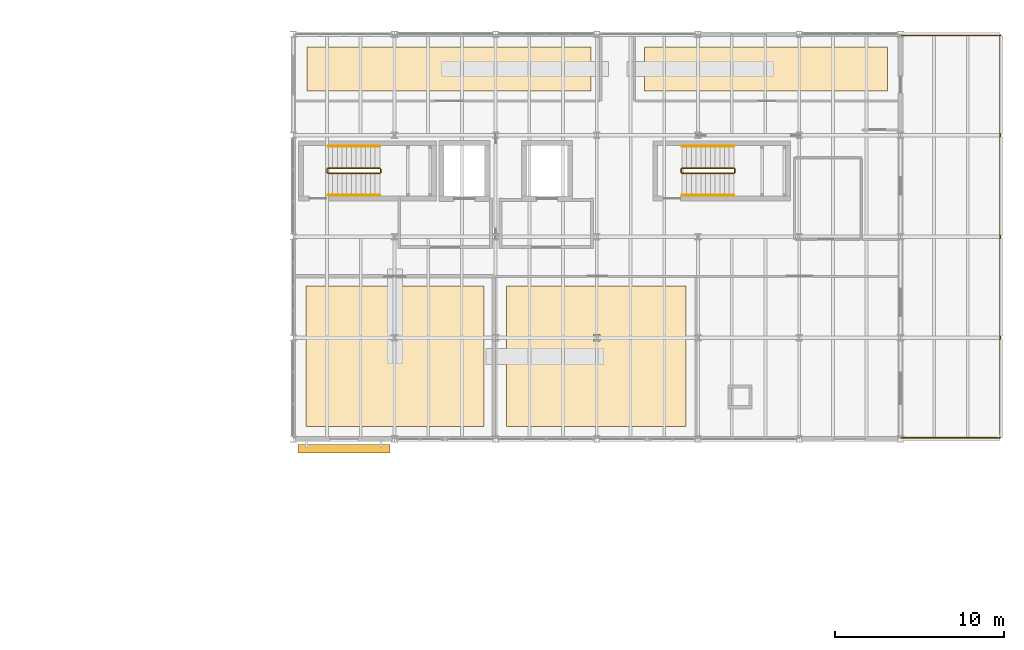
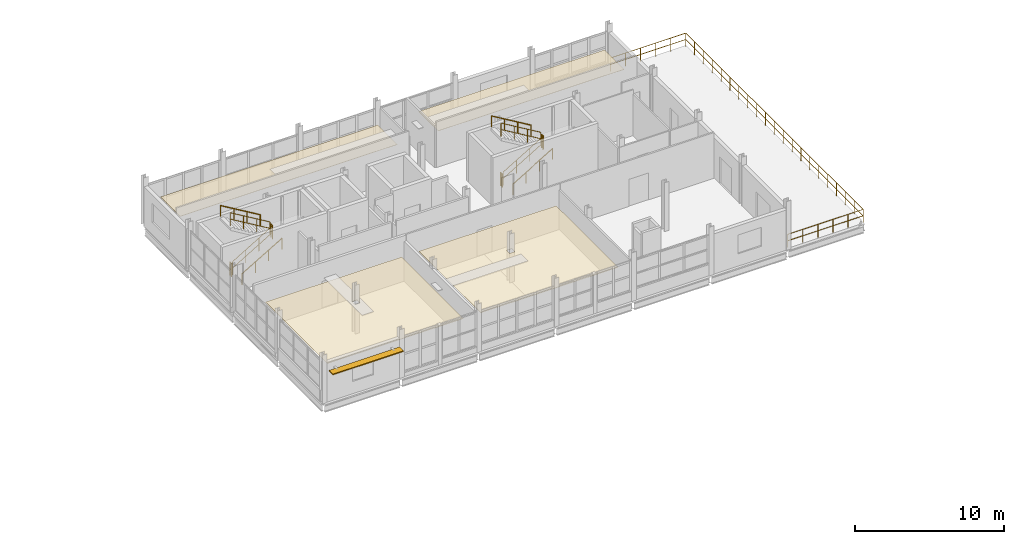
# One storey, part 45 of 45: 15 railings, 4 coverings, 1 shading device.
"""IFC4 building model written with IfcOpenShell, lengths in metres."""

from ifc_helpers import new_model, si_unit, direction, frame, origin, origin_2d, place, context, subcontext, project, spatial, polyline, rectangle, circle, outline, extrude, material, layer, layer_set, type_object, element, save


model = new_model("IFC4")

# Units and contexts
model_context = context("Model", 3, precision=1e-05, world=origin(), true_north=direction((0.0, 1.0)))
body_context = subcontext(model_context, "Body", "Model", "MODEL_VIEW")
ifc_project = project(units=[si_unit("LENGTHUNIT", "METRE"), si_unit("AREAUNIT", "SQUARE_METRE"), si_unit("VOLUMEUNIT", "CUBIC_METRE"), si_unit("PLANEANGLEUNIT", "RADIAN"), si_unit("MASSUNIT", "GRAM", prefix="KILO")], contexts=[model_context])

# Site, building, storey
site_placement = place(None, origin())
site = spatial("IfcSite", under=ifc_project, at=site_placement, CompositionType="ELEMENT")
building_placement = place(site_placement, origin())
building = spatial("IfcBuilding", under=site, at=building_placement, Name="Siltcreek Boulevard Central Fire Station", CompositionType="ELEMENT")
storey_placement = place(building_placement, frame((0.0, 0.0, 10.0)))
storey = spatial("IfcBuildingStorey", under=building, at=storey_placement, Name="L03", CompositionType="ELEMENT", Elevation=10.0)

# Coverings
ifc_material_1 = material(Name="Mineral-fiber acoustic ceiling tile", Category="gypsum")
ifc_layer_1 = layer(ifc_material_1, 0.02490234375, Name="Mineral-fiber acoustic ceiling tile")
ifc_layer_set_1 = layer_set([ifc_layer_1], Name="Mineral-fiber acoustic ceiling tile")
covering_type = type_object("IfcCoveringType", Name="COV_CEIL_ACT", PredefinedType="CEILING", material=ifc_layer_set_1)
covering_1_placement = place(storey_placement, frame((0.0, 0.0, 2.419921875)))
element("IfcCovering", 1, at=covering_1_placement, inside=storey, type_object=covering_type, Name="L03 Fire Chief Executive Command Office acoustic ceiling ACT-028", PredefinedType="CEILING", context=body_context, shape_type="SweptSolid", body=[
    extrude(outline(polyline([(124.949951171875, 88.949951171875), (135.5, 88.949951171875), (135.5, 97.260009765625), (124.949951171875, 97.260009765625), (124.949951171875, 88.949951171875)]), holes=[polyline([(130.0, 94.0), (130.39990234375, 94.0), (130.39990234375, 94.39990234375), (130.0, 94.39990234375), (130.0, 94.0)])]), origin(), (0.0, 0.0, 1.0), 0.025146484375),
])
covering_2_placement = place(storey_placement, frame((0.0, 0.0, 2.419921875)))
element("IfcCovering", 2, at=covering_2_placement, inside=storey, type_object=covering_type, Name="L03 Deputy Chief's Command Suite acoustic ceiling ACT-029", PredefinedType="CEILING", context=body_context, shape_type="SweptSolid", body=[
    extrude(outline(polyline([(136.85009765625, 88.949951171875), (147.5, 88.949951171875), (147.5, 97.260009765625), (136.85009765625, 97.260009765625), (136.85009765625, 88.949951171875)]), holes=[polyline([(142.0, 94.0), (142.39990234375, 94.0), (142.39990234375, 94.39990234375), (142.0, 94.39990234375), (142.0, 94.0)])]), origin(), (0.0, 0.0, 1.0), 0.025146484375),
])
covering_3_placement = place(storey_placement, frame((0.0, 0.0, 2.419921875)))
element("IfcCovering", 3, at=covering_3_placement, inside=storey, type_object=covering_type, Name="L03 Emergency Legal and Policy Office acoustic ceiling ACT-030", PredefinedType="CEILING", context=body_context, shape_type="SweptSolid", body=[
    extrude(outline(polyline([(125.0, 108.820068359375), (141.85009765625, 108.820068359375), (141.85009765625, 111.449951171875), (125.0, 111.449951171875), (125.0, 108.820068359375)])), origin(), (0.0, 0.0, 1.0), 0.025146484375),
])
covering_4_placement = place(storey_placement, frame((0.0, 0.0, 2.419921875)))
element("IfcCovering", 4, at=covering_4_placement, inside=storey, type_object=covering_type, Name="L03 Medical Director Oversight Suite acoustic ceiling ACT-031", PredefinedType="CEILING", context=body_context, shape_type="SweptSolid", body=[
    extrude(outline(polyline([(145.02001953125, 108.820068359375), (159.449951171875, 108.820068359375), (159.449951171875, 111.449951171875), (145.02001953125, 111.449951171875), (145.02001953125, 108.820068359375)])), origin(), (0.0, 0.0, 1.0), 0.025146484375),
])

# Railings
ifc_material_2 = material(Name="Painted galvanized steel stair guard", Category="steel")
railing_type_1 = type_object("IfcRailingType", Name="RL_ST_GUARD", PredefinedType="BALUSTRADE", material=ifc_material_2)
railing_1_placement = place(storey_placement, frame((126.25, 103.949951171875, 0.166748046875)))
element("IfcRailing", 5, at=railing_1_placement, inside=storey, type_object=railing_type_1, Name="L03 ST-V5A stair guard 1", PredefinedType="BALUSTRADE", context=body_context, shape_type="SweptSolid", body=[
    extrude(circle(Radius=0.02392578125, at=origin_2d()), frame((0.0, 0.0, 1.076171875), z_axis=(0.859308565015, 0.0, 0.511457515432), x_axis=(0.0, 1.0, 0.0)), (0.0, 0.0, 1.0), 3.58447265625),
    extrude(circle(Radius=0.02392578125, at=origin_2d()), frame((0.0, 0.0, 0.550048828125), z_axis=(0.859308565015, 0.0, 0.511457515432), x_axis=(0.0, 1.0, 0.0)), (0.0, 0.0, 1.0), 3.58447265625),
    extrude(circle(Radius=0.02099609375, at=origin_2d()), origin(), (0.0, 0.0, 1.0), 1.052001953125),
    extrude(circle(Radius=0.02099609375, at=origin_2d()), frame((1.026611328125, 0.0, 0.611083984375)), (0.0, 0.0, 1.0), 1.052001953125),
    extrude(circle(Radius=0.02099609375, at=origin_2d()), frame((2.053466796875, 0.0, 1.22216796875)), (0.0, 0.0, 1.0), 1.052001953125),
    extrude(circle(Radius=0.02099609375, at=origin_2d()), frame((3.080078125, 0.0, 1.833251953125)), (0.0, 0.0, 1.0), 1.052001953125),
])
railing_2_placement = place(storey_placement, frame((129.3798828125, 104.0, 2.0)))
element("IfcRailing", 6, at=railing_2_placement, inside=storey, type_object=railing_type_1, Name="L03 ST-V5A stair guard 2", PredefinedType="BALUSTRADE", context=body_context, shape_type="SweptSolid", body=[
    extrude(circle(Radius=0.02392578125, at=origin_2d()), frame((0.0, 0.0, 1.076171875), z_axis=(0.0, 1.0, 0.0), x_axis=(-1.0, 0.0, 0.0)), (0.0, 0.0, 1.0), 0.199951171875),
    extrude(circle(Radius=0.02392578125, at=origin_2d()), frame((0.0, 0.0, 0.550048828125), z_axis=(0.0, 1.0, 0.0), x_axis=(-1.0, 0.0, 0.0)), (0.0, 0.0, 1.0), 0.199951171875),
    extrude(circle(Radius=0.02099609375, at=origin_2d()), origin(), (0.0, 0.0, 1.0), 1.052001953125),
    extrude(circle(Radius=0.02099609375, at=origin_2d()), frame((0.0, 0.199951171875, 0.0)), (0.0, 0.0, 1.0), 1.052001953125),
])
railing_3_placement = place(storey_placement, frame((129.330078125, 104.25, 2.166748046875)))
element("IfcRailing", 7, at=railing_3_placement, inside=storey, type_object=railing_type_1, Name="L03 ST-V5A stair guard 3", PredefinedType="BALUSTRADE", context=body_context, shape_type="SweptSolid", body=[
    extrude(circle(Radius=0.02392578125, at=origin_2d()), frame((0.0, 0.0, 1.076171875), z_axis=(-0.859308565015, 0.0, 0.511457515432), x_axis=(0.0, -1.0, 0.0)), (0.0, 0.0, 1.0), 3.58447265625),
    extrude(circle(Radius=0.02392578125, at=origin_2d()), frame((0.0, 0.0, 0.550048828125), z_axis=(-0.859308565015, 0.0, 0.511457515432), x_axis=(0.0, -1.0, 0.0)), (0.0, 0.0, 1.0), 3.58447265625),
    extrude(circle(Radius=0.02099609375, at=origin_2d()), origin(), (0.0, 0.0, 1.0), 1.052001953125),
    extrude(circle(Radius=0.02099609375, at=origin_2d()), frame((-1.026611328125, 0.0, 0.611083984375)), (0.0, 0.0, 1.0), 1.052001953125),
    extrude(circle(Radius=0.02099609375, at=origin_2d()), frame((-2.053466796875, 0.0, 1.22216796875)), (0.0, 0.0, 1.0), 1.052001953125),
    extrude(circle(Radius=0.02099609375, at=origin_2d()), frame((-3.080078125, 0.0, 1.833251953125)), (0.0, 0.0, 1.0), 1.052001953125),
])
railing_4_placement = place(storey_placement, frame((126.199951171875, 104.0, 0.0)))
element("IfcRailing", 8, at=railing_4_placement, inside=storey, type_object=railing_type_1, Name="L03 ST-V5A stair guard 4", PredefinedType="BALUSTRADE", context=body_context, shape_type="SweptSolid", body=[
    extrude(circle(Radius=0.02392578125, at=origin_2d()), frame((0.0, 0.0, 1.076171875), z_axis=(0.0, 1.0, 0.0), x_axis=(-1.0, 0.0, 0.0)), (0.0, 0.0, 1.0), 0.199951171875),
    extrude(circle(Radius=0.02392578125, at=origin_2d()), frame((0.0, 0.0, 0.550048828125), z_axis=(0.0, 1.0, 0.0), x_axis=(-1.0, 0.0, 0.0)), (0.0, 0.0, 1.0), 0.199951171875),
    extrude(circle(Radius=0.02099609375, at=origin_2d()), origin(), (0.0, 0.0, 1.0), 1.052001953125),
    extrude(circle(Radius=0.02099609375, at=origin_2d()), frame((0.0, 0.199951171875, 0.0)), (0.0, 0.0, 1.0), 1.052001953125),
])
railing_5_placement = place(storey_placement, frame((147.25, 103.949951171875, 0.166748046875)))
element("IfcRailing", 9, at=railing_5_placement, inside=storey, type_object=railing_type_1, Name="L03 ST-V5B stair guard 1", PredefinedType="BALUSTRADE", context=body_context, shape_type="SweptSolid", body=[
    extrude(circle(Radius=0.02392578125, at=origin_2d()), frame((0.0, 0.0, 1.076171875), z_axis=(0.859308565015, 0.0, 0.511457515432), x_axis=(0.0, 1.0, 0.0)), (0.0, 0.0, 1.0), 3.58447265625),
    extrude(circle(Radius=0.02392578125, at=origin_2d()), frame((0.0, 0.0, 0.550048828125), z_axis=(0.859308565015, 0.0, 0.511457515432), x_axis=(0.0, 1.0, 0.0)), (0.0, 0.0, 1.0), 3.58447265625),
    extrude(circle(Radius=0.02099609375, at=origin_2d()), origin(), (0.0, 0.0, 1.0), 1.052001953125),
    extrude(circle(Radius=0.02099609375, at=origin_2d()), frame((1.026611328125, 0.0, 0.611083984375)), (0.0, 0.0, 1.0), 1.052001953125),
    extrude(circle(Radius=0.02099609375, at=origin_2d()), frame((2.053466796875, 0.0, 1.22216796875)), (0.0, 0.0, 1.0), 1.052001953125),
    extrude(circle(Radius=0.02099609375, at=origin_2d()), frame((3.080078125, 0.0, 1.833251953125)), (0.0, 0.0, 1.0), 1.052001953125),
])
railing_6_placement = place(storey_placement, frame((150.3798828125, 104.0, 2.0)))
element("IfcRailing", 10, at=railing_6_placement, inside=storey, type_object=railing_type_1, Name="L03 ST-V5B stair guard 2", PredefinedType="BALUSTRADE", context=body_context, shape_type="SweptSolid", body=[
    extrude(circle(Radius=0.02392578125, at=origin_2d()), frame((0.0, 0.0, 1.076171875), z_axis=(0.0, 1.0, 0.0), x_axis=(-1.0, 0.0, 0.0)), (0.0, 0.0, 1.0), 0.199951171875),
    extrude(circle(Radius=0.02392578125, at=origin_2d()), frame((0.0, 0.0, 0.550048828125), z_axis=(0.0, 1.0, 0.0), x_axis=(-1.0, 0.0, 0.0)), (0.0, 0.0, 1.0), 0.199951171875),
    extrude(circle(Radius=0.02099609375, at=origin_2d()), origin(), (0.0, 0.0, 1.0), 1.052001953125),
    extrude(circle(Radius=0.02099609375, at=origin_2d()), frame((0.0, 0.199951171875, 0.0)), (0.0, 0.0, 1.0), 1.052001953125),
])
railing_7_placement = place(storey_placement, frame((150.330078125, 104.25, 2.166748046875)))
element("IfcRailing", 11, at=railing_7_placement, inside=storey, type_object=railing_type_1, Name="L03 ST-V5B stair guard 3", PredefinedType="BALUSTRADE", context=body_context, shape_type="SweptSolid", body=[
    extrude(circle(Radius=0.02392578125, at=origin_2d()), frame((0.0, 0.0, 1.076171875), z_axis=(-0.859308565015, 0.0, 0.511457515432), x_axis=(0.0, -1.0, 0.0)), (0.0, 0.0, 1.0), 3.58447265625),
    extrude(circle(Radius=0.02392578125, at=origin_2d()), frame((0.0, 0.0, 0.550048828125), z_axis=(-0.859308565015, 0.0, 0.511457515432), x_axis=(0.0, -1.0, 0.0)), (0.0, 0.0, 1.0), 3.58447265625),
    extrude(circle(Radius=0.02099609375, at=origin_2d()), origin(), (0.0, 0.0, 1.0), 1.052001953125),
    extrude(circle(Radius=0.02099609375, at=origin_2d()), frame((-1.026611328125, 0.0, 0.611083984375)), (0.0, 0.0, 1.0), 1.052001953125),
    extrude(circle(Radius=0.02099609375, at=origin_2d()), frame((-2.053466796875, 0.0, 1.22216796875)), (0.0, 0.0, 1.0), 1.052001953125),
    extrude(circle(Radius=0.02099609375, at=origin_2d()), frame((-3.080078125, 0.0, 1.833251953125)), (0.0, 0.0, 1.0), 1.052001953125),
])
railing_8_placement = place(storey_placement, frame((147.199951171875, 104.0, 0.0)))
element("IfcRailing", 12, at=railing_8_placement, inside=storey, type_object=railing_type_1, Name="L03 ST-V5B stair guard 4", PredefinedType="BALUSTRADE", context=body_context, shape_type="SweptSolid", body=[
    extrude(circle(Radius=0.02392578125, at=origin_2d()), frame((0.0, 0.0, 1.076171875), z_axis=(0.0, 1.0, 0.0), x_axis=(-1.0, 0.0, 0.0)), (0.0, 0.0, 1.0), 0.199951171875),
    extrude(circle(Radius=0.02392578125, at=origin_2d()), frame((0.0, 0.0, 0.550048828125), z_axis=(0.0, 1.0, 0.0), x_axis=(-1.0, 0.0, 0.0)), (0.0, 0.0, 1.0), 0.199951171875),
    extrude(circle(Radius=0.02099609375, at=origin_2d()), origin(), (0.0, 0.0, 1.0), 1.052001953125),
    extrude(circle(Radius=0.02099609375, at=origin_2d()), frame((0.0, 0.199951171875, 0.0)), (0.0, 0.0, 1.0), 1.052001953125),
])
ifc_material_3 = material(Name="Brushed stainless steel stair handrail", Category="steel")
railing_type_2 = type_object("IfcRailingType", Name="RL_ST_HAND", PredefinedType="HANDRAIL", material=ifc_material_3)
railing_9_placement = place(storey_placement, frame((126.25, 102.64990234375, 0.166748046875)))
element("IfcRailing", 13, at=railing_9_placement, inside=storey, type_object=railing_type_2, Name="L03 ST-V5A stair handrail 1", PredefinedType="HANDRAIL", context=body_context, shape_type="SweptSolid", body=[
    extrude(circle(Radius=0.02392578125, at=origin_2d()), frame((0.0, 0.0, 0.8759765625), z_axis=(0.859308565015, 0.0, 0.511457515432), x_axis=(0.0, 1.0, 0.0)), (0.0, 0.0, 1.0), 3.58447265625),
    extrude(circle(Radius=0.02099609375, at=origin_2d()), origin(), (0.0, 0.0, 1.0), 0.851806640625),
    extrude(circle(Radius=0.02099609375, at=origin_2d()), frame((1.026611328125, 0.0, 0.611083984375)), (0.0, 0.0, 1.0), 0.851806640625),
    extrude(circle(Radius=0.02099609375, at=origin_2d()), frame((2.053466796875, 0.0, 1.22216796875)), (0.0, 0.0, 1.0), 0.851806640625),
    extrude(circle(Radius=0.02099609375, at=origin_2d()), frame((3.080078125, 0.0, 1.833251953125)), (0.0, 0.0, 1.0), 0.851806640625),
])
railing_10_placement = place(storey_placement, frame((129.330078125, 105.550048828125, 2.166748046875)))
element("IfcRailing", 14, at=railing_10_placement, inside=storey, type_object=railing_type_2, Name="L03 ST-V5A stair handrail 2", PredefinedType="HANDRAIL", context=body_context, shape_type="SweptSolid", body=[
    extrude(circle(Radius=0.02392578125, at=origin_2d()), frame((0.0, 0.0, 0.8759765625), z_axis=(-0.859308565015, 0.0, 0.511457515432), x_axis=(0.0, -1.0, 0.0)), (0.0, 0.0, 1.0), 3.58447265625),
    extrude(circle(Radius=0.02099609375, at=origin_2d()), origin(), (0.0, 0.0, 1.0), 0.851806640625),
    extrude(circle(Radius=0.02099609375, at=origin_2d()), frame((-1.026611328125, 0.0, 0.611083984375)), (0.0, 0.0, 1.0), 0.851806640625),
    extrude(circle(Radius=0.02099609375, at=origin_2d()), frame((-2.053466796875, 0.0, 1.22216796875)), (0.0, 0.0, 1.0), 0.851806640625),
    extrude(circle(Radius=0.02099609375, at=origin_2d()), frame((-3.080078125, 0.0, 1.833251953125)), (0.0, 0.0, 1.0), 0.851806640625),
])
railing_11_placement = place(storey_placement, frame((147.25, 102.64990234375, 0.166748046875)))
element("IfcRailing", 15, at=railing_11_placement, inside=storey, type_object=railing_type_2, Name="L03 ST-V5B stair handrail 1", PredefinedType="HANDRAIL", context=body_context, shape_type="SweptSolid", body=[
    extrude(circle(Radius=0.02392578125, at=origin_2d()), frame((0.0, 0.0, 0.8759765625), z_axis=(0.859308565015, 0.0, 0.511457515432), x_axis=(0.0, 1.0, 0.0)), (0.0, 0.0, 1.0), 3.58447265625),
    extrude(circle(Radius=0.02099609375, at=origin_2d()), origin(), (0.0, 0.0, 1.0), 0.851806640625),
    extrude(circle(Radius=0.02099609375, at=origin_2d()), frame((1.026611328125, 0.0, 0.611083984375)), (0.0, 0.0, 1.0), 0.851806640625),
    extrude(circle(Radius=0.02099609375, at=origin_2d()), frame((2.053466796875, 0.0, 1.22216796875)), (0.0, 0.0, 1.0), 0.851806640625),
    extrude(circle(Radius=0.02099609375, at=origin_2d()), frame((3.080078125, 0.0, 1.833251953125)), (0.0, 0.0, 1.0), 0.851806640625),
])
railing_12_placement = place(storey_placement, frame((150.330078125, 105.550048828125, 2.166748046875)))
element("IfcRailing", 16, at=railing_12_placement, inside=storey, type_object=railing_type_2, Name="L03 ST-V5B stair handrail 2", PredefinedType="HANDRAIL", context=body_context, shape_type="SweptSolid", body=[
    extrude(circle(Radius=0.02392578125, at=origin_2d()), frame((0.0, 0.0, 0.8759765625), z_axis=(-0.859308565015, 0.0, 0.511457515432), x_axis=(0.0, -1.0, 0.0)), (0.0, 0.0, 1.0), 3.58447265625),
    extrude(circle(Radius=0.02099609375, at=origin_2d()), origin(), (0.0, 0.0, 1.0), 0.851806640625),
    extrude(circle(Radius=0.02099609375, at=origin_2d()), frame((-1.026611328125, 0.0, 0.611083984375)), (0.0, 0.0, 1.0), 0.851806640625),
    extrude(circle(Radius=0.02099609375, at=origin_2d()), frame((-2.053466796875, 0.0, 1.22216796875)), (0.0, 0.0, 1.0), 0.851806640625),
    extrude(circle(Radius=0.02099609375, at=origin_2d()), frame((-3.080078125, 0.0, 1.833251953125)), (0.0, 0.0, 1.0), 0.851806640625),
])
ifc_material_4 = material(Name="Galvanized painted steel guardrail", Category="steel")
railing_type_3 = type_object("IfcRailingType", Name="RL_TER_GUARD", PredefinedType="BALUSTRADE", material=ifc_material_4)
railing_13_placement = place(storey_placement, frame((160.280029296875, 88.280029296875, 0.0)))
element("IfcRailing", 17, at=railing_13_placement, inside=storey, type_object=railing_type_3, Name="L03 V5 outdoor terrace perimeter guard 1.1", PredefinedType="BALUSTRADE", context=body_context, shape_type="SweptSolid", body=[
    extrude(circle(Radius=0.02392578125, at=origin_2d()), frame((0.0, 0.0, 1.076171875), z_axis=(1.0, 0.0, 0.0), x_axis=(0.0, 1.0, 0.0)), (0.0, 0.0, 1.0), 5.840087890625),
    extrude(circle(Radius=0.02392578125, at=origin_2d()), frame((0.0, 0.0, 0.550048828125), z_axis=(1.0, 0.0, 0.0), x_axis=(0.0, 1.0, 0.0)), (0.0, 0.0, 1.0), 5.840087890625),
    extrude(circle(Radius=0.02099609375, at=origin_2d()), origin(), (0.0, 0.0, 1.0), 1.052001953125),
    extrude(circle(Radius=0.02099609375, at=origin_2d()), frame((1.16796875, 0.0, 0.0)), (0.0, 0.0, 1.0), 1.052001953125),
    extrude(circle(Radius=0.02099609375, at=origin_2d()), frame((2.3359375, 0.0, 0.0)), (0.0, 0.0, 1.0), 1.052001953125),
    extrude(circle(Radius=0.02099609375, at=origin_2d()), frame((3.504150390625, 0.0, 0.0)), (0.0, 0.0, 1.0), 1.052001953125),
    extrude(circle(Radius=0.02099609375, at=origin_2d()), frame((4.672119140625, 0.0, 0.0)), (0.0, 0.0, 1.0), 1.052001953125),
    extrude(circle(Radius=0.02099609375, at=origin_2d()), frame((5.840087890625, 0.0, 0.0)), (0.0, 0.0, 1.0), 1.052001953125),
])
railing_14_placement = place(storey_placement, frame((166.1201171875, 88.280029296875, 0.0)))
element("IfcRailing", 18, at=railing_14_placement, inside=storey, type_object=railing_type_3, Name="L03 V5 outdoor terrace perimeter guard 1.2", PredefinedType="BALUSTRADE", context=body_context, shape_type="SweptSolid", body=[
    extrude(circle(Radius=0.02392578125, at=origin_2d()), frame((0.0, 0.0, 1.076171875), z_axis=(0.0, 1.0, 0.0), x_axis=(-1.0, 0.0, 0.0)), (0.0, 0.0, 1.0), 23.840087890625),
    extrude(circle(Radius=0.02392578125, at=origin_2d()), frame((0.0, 0.0, 0.550048828125), z_axis=(0.0, 1.0, 0.0), x_axis=(-1.0, 0.0, 0.0)), (0.0, 0.0, 1.0), 23.840087890625),
    extrude(circle(Radius=0.02099609375, at=origin_2d()), origin(), (0.0, 0.0, 1.0), 1.052001953125),
    extrude(circle(Radius=0.02099609375, at=origin_2d()), frame((0.0, 1.19189453125, 0.0)), (0.0, 0.0, 1.0), 1.052001953125),
    extrude(circle(Radius=0.02099609375, at=origin_2d()), frame((0.0, 2.384033203125, 0.0)), (0.0, 0.0, 1.0), 1.052001953125),
    extrude(circle(Radius=0.02099609375, at=origin_2d()), frame((0.0, 3.575927734375, 0.0)), (0.0, 0.0, 1.0), 1.052001953125),
    extrude(circle(Radius=0.02099609375, at=origin_2d()), frame((0.0, 4.76806640625, 0.0)), (0.0, 0.0, 1.0), 1.052001953125),
    extrude(circle(Radius=0.02099609375, at=origin_2d()), frame((0.0, 5.9599609375, 0.0)), (0.0, 0.0, 1.0), 1.052001953125),
    extrude(circle(Radius=0.02099609375, at=origin_2d()), frame((0.0, 7.152099609375, 0.0)), (0.0, 0.0, 1.0), 1.052001953125),
    extrude(circle(Radius=0.02099609375, at=origin_2d()), frame((0.0, 8.343994140625, 0.0)), (0.0, 0.0, 1.0), 1.052001953125),
    extrude(circle(Radius=0.02099609375, at=origin_2d()), frame((0.0, 9.5361328125, 0.0)), (0.0, 0.0, 1.0), 1.052001953125),
    extrude(circle(Radius=0.02099609375, at=origin_2d()), frame((0.0, 10.72802734375, 0.0)), (0.0, 0.0, 1.0), 1.052001953125),
    extrude(circle(Radius=0.02099609375, at=origin_2d()), frame((0.0, 11.919921875, 0.0)), (0.0, 0.0, 1.0), 1.052001953125),
    extrude(circle(Radius=0.02099609375, at=origin_2d()), frame((0.0, 13.112060546875, 0.0)), (0.0, 0.0, 1.0), 1.052001953125),
    extrude(circle(Radius=0.02099609375, at=origin_2d()), frame((0.0, 14.303955078125, 0.0)), (0.0, 0.0, 1.0), 1.052001953125),
    extrude(circle(Radius=0.02099609375, at=origin_2d()), frame((0.0, 15.49609375, 0.0)), (0.0, 0.0, 1.0), 1.052001953125),
    extrude(circle(Radius=0.02099609375, at=origin_2d()), frame((0.0, 16.68798828125, 0.0)), (0.0, 0.0, 1.0), 1.052001953125),
    extrude(circle(Radius=0.02099609375, at=origin_2d()), frame((0.0, 17.880126953125, 0.0)), (0.0, 0.0, 1.0), 1.052001953125),
    extrude(circle(Radius=0.02099609375, at=origin_2d()), frame((0.0, 19.072021484375, 0.0)), (0.0, 0.0, 1.0), 1.052001953125),
    extrude(circle(Radius=0.02099609375, at=origin_2d()), frame((0.0, 20.26416015625, 0.0)), (0.0, 0.0, 1.0), 1.052001953125),
    extrude(circle(Radius=0.02099609375, at=origin_2d()), frame((0.0, 21.4560546875, 0.0)), (0.0, 0.0, 1.0), 1.052001953125),
    extrude(circle(Radius=0.02099609375, at=origin_2d()), frame((0.0, 22.648193359375, 0.0)), (0.0, 0.0, 1.0), 1.052001953125),
    extrude(circle(Radius=0.02099609375, at=origin_2d()), frame((0.0, 23.840087890625, 0.0)), (0.0, 0.0, 1.0), 1.052001953125),
])
railing_15_placement = place(storey_placement, frame((166.1201171875, 112.1201171875, 0.0)))
element("IfcRailing", 19, at=railing_15_placement, inside=storey, type_object=railing_type_3, Name="L03 V5 outdoor terrace perimeter guard 1.3", PredefinedType="BALUSTRADE", context=body_context, shape_type="SweptSolid", body=[
    extrude(circle(Radius=0.02392578125, at=origin_2d()), frame((0.0, 0.0, 1.076171875), z_axis=(-1.0, 0.0, 0.0), x_axis=(0.0, -1.0, 0.0)), (0.0, 0.0, 1.0), 5.840087890625),
    extrude(circle(Radius=0.02392578125, at=origin_2d()), frame((0.0, 0.0, 0.550048828125), z_axis=(-1.0, 0.0, 0.0), x_axis=(0.0, -1.0, 0.0)), (0.0, 0.0, 1.0), 5.840087890625),
    extrude(circle(Radius=0.02099609375, at=origin_2d()), origin(), (0.0, 0.0, 1.0), 1.052001953125),
    extrude(circle(Radius=0.02099609375, at=origin_2d()), frame((-1.16796875, 0.0, 0.0)), (0.0, 0.0, 1.0), 1.052001953125),
    extrude(circle(Radius=0.02099609375, at=origin_2d()), frame((-2.3359375, 0.0, 0.0)), (0.0, 0.0, 1.0), 1.052001953125),
    extrude(circle(Radius=0.02099609375, at=origin_2d()), frame((-3.504150390625, 0.0, 0.0)), (0.0, 0.0, 1.0), 1.052001953125),
    extrude(circle(Radius=0.02099609375, at=origin_2d()), frame((-4.672119140625, 0.0, 0.0)), (0.0, 0.0, 1.0), 1.052001953125),
    extrude(circle(Radius=0.02099609375, at=origin_2d()), frame((-5.840087890625, 0.0, 0.0)), (0.0, 0.0, 1.0), 1.052001953125),
])

# Shading device
ifc_material_5 = material(Name="Frey sage-green anodized tubular aluminum sunshade", Category="aluminium")
ifc_layer_2 = layer(ifc_material_5, 0.080078125, Name="Frey sage-green anodized tubular aluminum sunshade")
ifc_layer_set_2 = layer_set([ifc_layer_2], Name="Frey sage-green anodized tubular aluminum sunshade")
shading_device_type = type_object("IfcShadingDeviceType", Name="SHD_BRISE", PredefinedType="USERDEFINED", material=ifc_layer_set_2)
shading_device_placement = place(storey_placement, frame((127.199951171875, 87.614990234375, 2.6298828125), z_axis=(0.0, 0.0, 1.0), x_axis=(1.0, 0.0, 0.0)))
element("IfcShadingDevice", 20, at=shading_device_placement, inside=storey, type_object=shading_device_type, Name="Anodized tubular aluminum brise-soleil SS-112", ObjectType="SUNSHADE", PredefinedType="USERDEFINED", context=body_context, shape_type="SweptSolid", body=[
    extrude(rectangle(XDim=5.469970703125, YDim=0.52001953125, at=origin_2d()), origin(), (0.0, 0.0, 1.0), 0.080078125),
])

save(model, "model.ifc")
